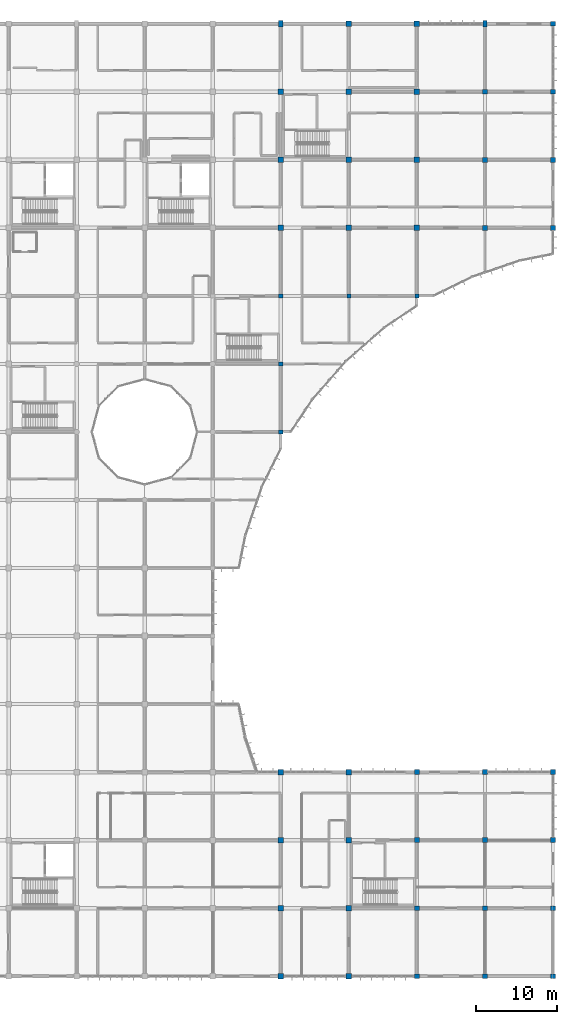
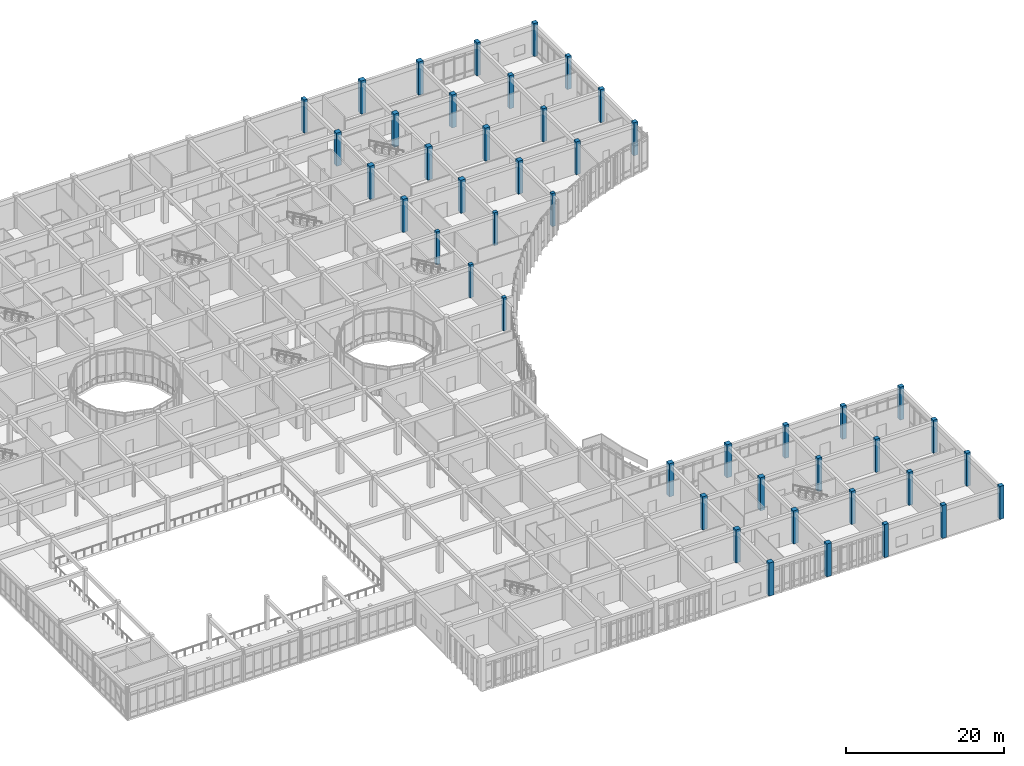
# One storey, part 8 of 134: 45 columns.
"""IFC4 building model written with IfcOpenShell, lengths in metres."""

from ifc_helpers import new_model, si_unit, direction, frame, origin, origin_2d, place, context, subcontext, project, spatial, rectangle, extrude, material, material_profile, profile_set, type_object, element, save


model = new_model("IFC4")

# Units and contexts
model_context = context("Model", 3, precision=1e-05, world=origin(), true_north=direction((0.0, 1.0)))
body_context = subcontext(model_context, "Body", "Model", "MODEL_VIEW")
ifc_project = project(units=[si_unit("LENGTHUNIT", "METRE"), si_unit("AREAUNIT", "SQUARE_METRE"), si_unit("VOLUMEUNIT", "CUBIC_METRE"), si_unit("PLANEANGLEUNIT", "RADIAN"), si_unit("MASSUNIT", "GRAM", prefix="KILO")], contexts=[model_context])

# Site, building, storey
site_placement = place(None, origin())
site = spatial("IfcSite", under=ifc_project, at=site_placement, CompositionType="ELEMENT")
building_placement = place(site_placement, origin())
building = spatial("IfcBuilding", under=site, at=building_placement, Name="Bramfleet General Hospital", CompositionType="ELEMENT")
storey_placement = place(building_placement, frame((0.0, 0.0, 9.300048828125)))
storey = spatial("IfcBuildingStorey", under=building, at=storey_placement, Name="L02", CompositionType="ELEMENT", Elevation=9.300048828125)

# Columns
ifc_material = material(Name="Concrete C40/50", Category="concrete")
ifc_material_profile_1 = material_profile(ifc_material, rectangle(XDim=0.5, YDim=0.75, at=origin_2d()), Name="RC PIL 750x500")
ifc_profile_set_1 = profile_set([ifc_material_profile_1], Name="Concrete C40/50")
column_type_1 = type_object("IfcColumnType", Name="COL-PIL750", PredefinedType="PILASTER", material=ifc_profile_set_1)
for number, where, z_axis, x_axis, name in (
    (1, (134.39990234375, 117.60009765625, 0.0), (0.0, 0.0, 1.0), (1.0, 0.0, 0.0), "Column COL-L02-16-14"),
    (2, (159.60009765625, 117.60009765625, 0.0), (0.0, 0.0, 1.0), (1.0, 0.0, 0.0), "Column COL-L02-19-14"),
):
    element("IfcColumn", number, at=place(storey_placement, frame(where, z_axis=z_axis, x_axis=x_axis)), inside=storey, type_object=column_type_1, Name=name, PredefinedType="PILASTER", context=body_context, shape_type="SweptSolid", body=[
        extrude(rectangle(XDim=0.5, YDim=0.75, at=origin_2d()), origin(), (0.0, 0.0, 1.0), 5.099853515625),
    ])
ifc_material_profile_2 = material_profile(ifc_material, rectangle(XDim=0.5, YDim=0.5, at=origin_2d()), Name="RC COL 500x500")
ifc_profile_set_2 = profile_set([ifc_material_profile_2], Name="Concrete C40/50")
column_type_2 = type_object("IfcColumnType", Name="COL-RC500", PredefinedType="COLUMN", material=ifc_profile_set_2)
for number, where, z_axis, x_axis, name in (
    (3, (134.39990234375, 67.199951171875, 0.0), (0.0, 0.0, 1.0), (1.0, 0.0, 0.0), "Column COL-L02-16-08"),
    (4, (134.39990234375, 75.60009765625, 0.0), (0.0, 0.0, 1.0), (1.0, 0.0, 0.0), "Column COL-L02-16-09"),
    (5, (134.39990234375, 84.0, 0.0), (0.0, 0.0, 1.0), (1.0, 0.0, 0.0), "Column COL-L02-16-10"),
    (6, (142.800048828125, 84.0, 0.0), (0.0, 0.0, 1.0), (1.0, 0.0, 0.0), "Column COL-L02-17-10"),
    (7, (151.199951171875, 84.0, 0.0), (0.0, 0.0, 1.0), (1.0, 0.0, 0.0), "Column COL-L02-18-10"),
):
    element("IfcColumn", number, at=place(storey_placement, frame(where, z_axis=z_axis, x_axis=x_axis)), inside=storey, type_object=column_type_2, Name=name, PredefinedType="COLUMN", context=body_context, shape_type="SweptSolid", body=[
        extrude(rectangle(XDim=0.5, YDim=0.5, at=origin_2d()), origin(), (0.0, 0.0, 1.0), 5.099853515625),
    ])
ifc_material_profile_3 = material_profile(ifc_material, rectangle(XDim=0.60009765625, YDim=0.60009765625, at=origin_2d()), Name="RC COL 600x600")
ifc_profile_set_3 = profile_set([ifc_material_profile_3], Name="Concrete C40/50")
column_type_3 = type_object("IfcColumnType", Name="COL-RC600", PredefinedType="COLUMN", material=ifc_profile_set_3)
for number, where, z_axis, x_axis, name in (
    (8, (151.199951171875, 0.0, 0.0), (0.0, 0.0, 1.0), (1.0, 0.0, 0.0), "Column COL-L02-18-00"),
    (9, (151.199951171875, 8.39990234375, 0.0), (0.0, 0.0, 1.0), (1.0, 0.0, 0.0), "Column COL-L02-18-01"),
    (10, (151.199951171875, 16.800048828125, 0.0), (0.0, 0.0, 1.0), (1.0, 0.0, 0.0), "Column COL-L02-18-02"),
    (11, (151.199951171875, 25.199951171875, 0.0), (0.0, 0.0, 1.0), (1.0, 0.0, 0.0), "Column COL-L02-18-03"),
    (12, (159.60009765625, 0.0, 0.0), (0.0, 0.0, 1.0), (1.0, 0.0, 0.0), "Column COL-L02-19-00"),
    (13, (159.60009765625, 8.39990234375, 0.0), (0.0, 0.0, 1.0), (1.0, 0.0, 0.0), "Column COL-L02-19-01"),
    (14, (159.60009765625, 16.800048828125, 0.0), (0.0, 0.0, 1.0), (1.0, 0.0, 0.0), "Column COL-L02-19-02"),
    (15, (159.60009765625, 25.199951171875, 0.0), (0.0, 0.0, 1.0), (1.0, 0.0, 0.0), "Column COL-L02-19-03"),
    (16, (159.60009765625, 92.39990234375, 0.0), (0.0, 0.0, 1.0), (1.0, 0.0, 0.0), "Column COL-L02-19-11"),
    (17, (159.60009765625, 100.800048828125, 0.0), (0.0, 0.0, 1.0), (1.0, 0.0, 0.0), "Column COL-L02-19-12"),
    (18, (159.60009765625, 109.199951171875, 0.0), (0.0, 0.0, 1.0), (1.0, 0.0, 0.0), "Column COL-L02-19-13"),
    (19, (168.0, 0.0, 0.0), (0.0, 0.0, 1.0), (1.0, 0.0, 0.0), "Column COL-L02-20-00"),
    (20, (168.0, 8.39990234375, 0.0), (0.0, 0.0, 1.0), (1.0, 0.0, 0.0), "Column COL-L02-20-01"),
    (21, (168.0, 16.800048828125, 0.0), (0.0, 0.0, 1.0), (1.0, 0.0, 0.0), "Column COL-L02-20-02"),
    (22, (168.0, 25.199951171875, 0.0), (0.0, 0.0, 1.0), (1.0, 0.0, 0.0), "Column COL-L02-20-03"),
    (23, (168.0, 92.39990234375, 0.0), (0.0, 0.0, 1.0), (1.0, 0.0, 0.0), "Column COL-L02-20-11"),
    (24, (168.0, 100.800048828125, 0.0), (0.0, 0.0, 1.0), (1.0, 0.0, 0.0), "Column COL-L02-20-12"),
    (25, (168.0, 109.199951171875, 0.0), (0.0, 0.0, 1.0), (1.0, 0.0, 0.0), "Column COL-L02-20-13"),
    (26, (168.0, 117.60009765625, 0.0), (0.0, 0.0, 1.0), (1.0, 0.0, 0.0), "Column COL-L02-20-14"),
):
    element("IfcColumn", number, at=place(storey_placement, frame(where, z_axis=z_axis, x_axis=x_axis)), inside=storey, type_object=column_type_3, Name=name, PredefinedType="COLUMN", context=body_context, shape_type="SweptSolid", body=[
        extrude(rectangle(XDim=0.60009765625, YDim=0.60009765625, at=origin_2d()), origin(), (0.0, 0.0, 1.0), 5.099853515625),
    ])
ifc_material_profile_4 = material_profile(ifc_material, rectangle(XDim=0.699951171875, YDim=0.699951171875, at=origin_2d()), Name="RC COL 700x700")
ifc_profile_set_4 = profile_set([ifc_material_profile_4], Name="Concrete C40/50")
column_type_4 = type_object("IfcColumnType", Name="COL-RC700", PredefinedType="COLUMN", material=ifc_profile_set_4)
for number, where, z_axis, x_axis, name in (
    (27, (134.39990234375, 0.0, 0.0), (0.0, 0.0, 1.0), (1.0, 0.0, 0.0), "Column COL-L02-16-00"),
    (28, (134.39990234375, 8.39990234375, 0.0), (0.0, 0.0, 1.0), (1.0, 0.0, 0.0), "Column COL-L02-16-01"),
    (29, (134.39990234375, 16.800048828125, 0.0), (0.0, 0.0, 1.0), (1.0, 0.0, 0.0), "Column COL-L02-16-02"),
    (30, (134.39990234375, 25.199951171875, 0.0), (0.0, 0.0, 1.0), (1.0, 0.0, 0.0), "Column COL-L02-16-03"),
    (31, (134.39990234375, 92.39990234375, 0.0), (0.0, 0.0, 1.0), (1.0, 0.0, 0.0), "Column COL-L02-16-11"),
    (32, (134.39990234375, 100.800048828125, 0.0), (0.0, 0.0, 1.0), (1.0, 0.0, 0.0), "Column COL-L02-16-12"),
    (33, (134.39990234375, 109.199951171875, 0.0), (0.0, 0.0, 1.0), (1.0, 0.0, 0.0), "Column COL-L02-16-13"),
    (34, (142.800048828125, 0.0, 0.0), (0.0, 0.0, 1.0), (1.0, 0.0, 0.0), "Column COL-L02-17-00"),
    (35, (142.800048828125, 8.39990234375, 0.0), (0.0, 0.0, 1.0), (1.0, 0.0, 0.0), "Column COL-L02-17-01"),
    (36, (142.800048828125, 16.800048828125, 0.0), (0.0, 0.0, 1.0), (1.0, 0.0, 0.0), "Column COL-L02-17-02"),
    (37, (142.800048828125, 25.199951171875, 0.0), (0.0, 0.0, 1.0), (1.0, 0.0, 0.0), "Column COL-L02-17-03"),
    (38, (142.800048828125, 92.39990234375, 0.0), (0.0, 0.0, 1.0), (1.0, 0.0, 0.0), "Column COL-L02-17-11"),
    (39, (142.800048828125, 100.800048828125, 0.0), (0.0, 0.0, 1.0), (1.0, 0.0, 0.0), "Column COL-L02-17-12"),
    (40, (142.800048828125, 109.199951171875, 0.0), (0.0, 0.0, 1.0), (1.0, 0.0, 0.0), "Column COL-L02-17-13"),
    (41, (142.800048828125, 117.60009765625, 0.0), (0.0, 0.0, 1.0), (1.0, 0.0, 0.0), "Column COL-L02-17-14"),
    (42, (151.199951171875, 92.39990234375, 0.0), (0.0, 0.0, 1.0), (1.0, 0.0, 0.0), "Column COL-L02-18-11"),
    (43, (151.199951171875, 100.800048828125, 0.0), (0.0, 0.0, 1.0), (1.0, 0.0, 0.0), "Column COL-L02-18-12"),
    (44, (151.199951171875, 109.199951171875, 0.0), (0.0, 0.0, 1.0), (1.0, 0.0, 0.0), "Column COL-L02-18-13"),
    (45, (151.199951171875, 117.60009765625, 0.0), (0.0, 0.0, 1.0), (1.0, 0.0, 0.0), "Column COL-L02-18-14"),
):
    element("IfcColumn", number, at=place(storey_placement, frame(where, z_axis=z_axis, x_axis=x_axis)), inside=storey, type_object=column_type_4, Name=name, PredefinedType="COLUMN", context=body_context, shape_type="SweptSolid", body=[
        extrude(rectangle(XDim=0.699951171875, YDim=0.699951171875, at=origin_2d()), origin(), (0.0, 0.0, 1.0), 5.099853515625),
    ])

save(model, "model.ifc")
